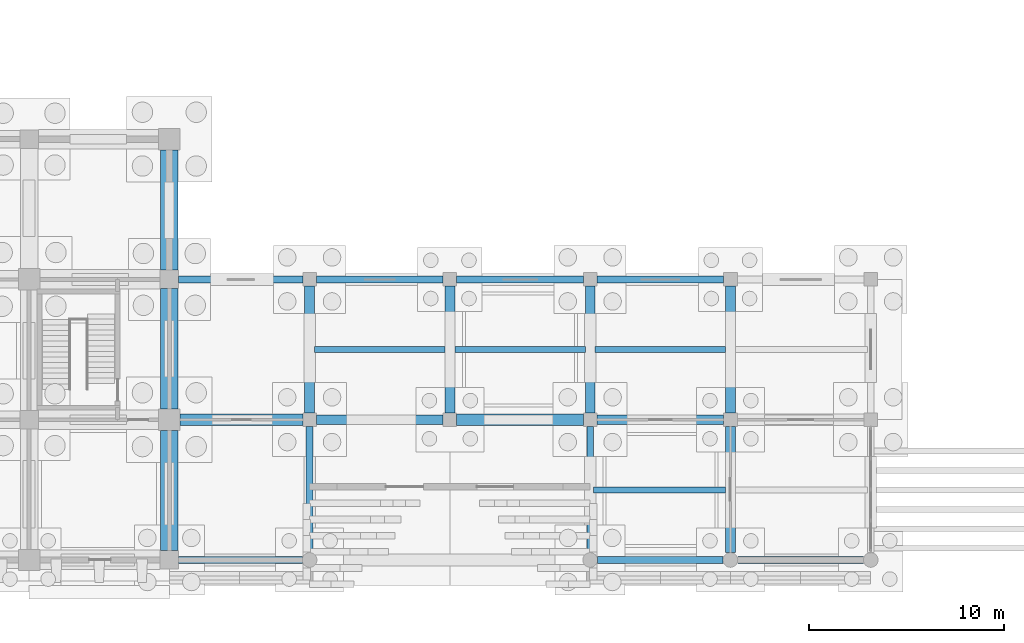
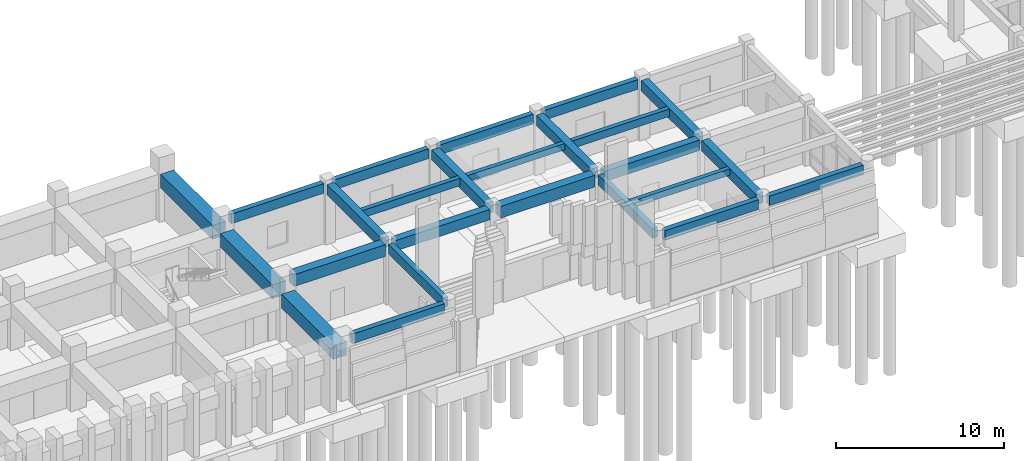
# One storey, part 22 of 79: 25 beams.
"""IFC4 building model written with IfcOpenShell, lengths in metres."""

from ifc_helpers import new_model, si_unit, direction, frame, origin, origin_2d, place, context, subcontext, project, spatial, rectangle, extrude, material, material_profile, profile_set, type_object, element, save


model = new_model("IFC4")

# Units and contexts
model_context = context("Model", 3, precision=1e-05, world=origin(), true_north=direction((0.0, 1.0)))
body_context = subcontext(model_context, "Body", "Model", "MODEL_VIEW")
ifc_project = project(units=[si_unit("LENGTHUNIT", "METRE"), si_unit("AREAUNIT", "SQUARE_METRE"), si_unit("VOLUMEUNIT", "CUBIC_METRE"), si_unit("PLANEANGLEUNIT", "RADIAN"), si_unit("MASSUNIT", "GRAM", prefix="KILO")], contexts=[model_context])

# Site, building, storey
site_placement = place(None, origin())
site = spatial("IfcSite", under=ifc_project, at=site_placement, CompositionType="ELEMENT")
building_placement = place(site_placement, origin())
building = spatial("IfcBuilding", under=site, at=building_placement, Name="Kavelor Marine Aquarium", CompositionType="ELEMENT")
storey_placement = place(building_placement, origin())
storey = spatial("IfcBuildingStorey", under=building, at=storey_placement, Name="L00", CompositionType="ELEMENT", Elevation=0.0)

# Beams
ifc_material_1 = material(Name="Concrete C40/50", Category="concrete")
ifc_material_profile_1 = material_profile(ifc_material_1, rectangle(XDim=0.60009765625, YDim=0.85009765625, at=origin_2d()), Name="RC-BM 600x850")
ifc_profile_set_1 = profile_set([ifc_material_profile_1], Name="Concrete C40/50")
beam_type_1 = type_object("IfcBeamType", Name="BM-B1", PredefinedType="BEAM", material=ifc_profile_set_1)
beam_1_placement = place(storey_placement, frame((68.550048828125, 10.0, 3.955078125), z_axis=(1.0, 0.0, 0.0), x_axis=(0.0, 1.0, 0.0)))
element("IfcBeam", 1, at=beam_1_placement, inside=storey, type_object=beam_type_1, Name="bm:x:L00:L01:09_01", PredefinedType="BEAM", context=body_context, shape_type="SweptSolid", body=[
    extrude(rectangle(XDim=0.60009765625, YDim=0.85009765625, at=origin_2d()), origin(), (0.0, 0.0, 1.0), 6.300048828125),
])
beam_2_placement = place(storey_placement, frame((82.75, 10.0, 3.955078125), z_axis=(1.0, 0.0, 0.0), x_axis=(0.0, 1.0, 0.0)))
element("IfcBeam", 2, at=beam_2_placement, inside=storey, type_object=beam_type_1, Name="bm:x:L00:L01:11_01", PredefinedType="BEAM", context=body_context, shape_type="SweptSolid", body=[
    extrude(rectangle(XDim=0.60009765625, YDim=0.85009765625, at=origin_2d()), origin(), (0.0, 0.0, 1.0), 6.5),
])
ifc_material_2 = material(Name="Concrete C40/50", Category="concrete")
ifc_material_profile_2 = material_profile(ifc_material_2, rectangle(XDim=0.5, YDim=0.75, at=origin_2d()), Name="RC-BM 500x750")
ifc_profile_set_2 = profile_set([ifc_material_profile_2], Name="Concrete C40/50")
beam_type_2 = type_object("IfcBeamType", Name="BM-B2", PredefinedType="BEAM", material=ifc_profile_set_2)
for number, where, z_axis, x_axis, name in (
    (3, (75.550048828125, 10.0, 4.0048828125), (1.0, 0.0, 0.0), (0.0, 1.0, 0.0), "bm:x:L00:L01:10_01"),
    (4, (89.949951171875, 10.0, 4.0048828125), (1.0, 0.0, 0.0), (0.0, 1.0, 0.0), "bm:x:L00:L01:12_01"),
    (5, (75.199951171875, 10.35009765625, 4.0048828125), (0.0, 1.0, 0.0), (-1.0, 0.0, 0.0), "bm:y:L00:L01:10_01"),
    (6, (82.39990234375, 10.35009765625, 4.0048828125), (0.0, 1.0, 0.0), (-1.0, 0.0, 0.0), "bm:y:L00:L01:11_01"),
    (7, (89.60009765625, 10.35009765625, 4.0048828125), (0.0, 1.0, 0.0), (-1.0, 0.0, 0.0), "bm:y:L00:L01:12_01"),
):
    element("IfcBeam", number, at=place(storey_placement, frame(where, z_axis=z_axis, x_axis=x_axis)), inside=storey, type_object=beam_type_2, Name=name, PredefinedType="BEAM", context=body_context, shape_type="SweptSolid", body=[
        extrude(rectangle(XDim=0.5, YDim=0.75, at=origin_2d()), origin(), (0.0, 0.0, 1.0), 6.5),
    ])
beam_3_placement = place(storey_placement, frame((96.800048828125, 3.175048828125, 4.0048828125), z_axis=(0.0, 1.0, 0.0), x_axis=(-1.0, 0.0, 0.0)))
element("IfcBeam", 8, at=beam_3_placement, inside=storey, type_object=beam_type_2, Name="bm:y:L00:L01:13_00", PredefinedType="BEAM", context=body_context, shape_type="SweptSolid", body=[
    extrude(rectangle(XDim=0.5, YDim=0.75, at=origin_2d()), origin(), (0.0, 0.0, 1.0), 6.474853515625),
])
beam_4_placement = place(storey_placement, frame((96.800048828125, 10.35009765625, 4.0048828125), z_axis=(0.0, 1.0, 0.0), x_axis=(-1.0, 0.0, 0.0)))
element("IfcBeam", 9, at=beam_4_placement, inside=storey, type_object=beam_type_2, Name="bm:y:L00:L01:13_01", PredefinedType="BEAM", context=body_context, shape_type="SweptSolid", body=[
    extrude(rectangle(XDim=0.5, YDim=0.75, at=origin_2d()), origin(), (0.0, 0.0, 1.0), 6.5),
])
ifc_material_3 = material(Name="Concrete C40/50", Category="concrete")
ifc_material_profile_3 = material_profile(ifc_material_3, rectangle(XDim=0.300048828125, YDim=0.449951171875, at=origin_2d()), Name="RC-JS 300x450")
ifc_profile_set_3 = profile_set([ifc_material_profile_3], Name="Concrete C40/50")
beam_type_3 = type_object("IfcBeamType", Name="BM-JS1", PredefinedType="JOIST", material=ifc_profile_set_3)
beam_5_placement = place(storey_placement, frame((82.64990234375, 13.60009765625, 4.155029296875), z_axis=(1.0, 0.0, 0.0), x_axis=(0.0, 1.0, 0.0)))
element("IfcBeam", 10, at=beam_5_placement, inside=storey, type_object=beam_type_3, Name="js:L00:L01:11_01", PredefinedType="JOIST", context=body_context, shape_type="SweptSolid", body=[
    extrude(rectangle(XDim=0.300048828125, YDim=0.449951171875, at=origin_2d()), origin(), (0.0, 0.0, 1.0), 6.7001953125),
])
beam_6_placement = place(storey_placement, frame((89.77490234375, 6.39990234375, 4.155029296875), z_axis=(1.0, 0.0, 0.0), x_axis=(0.0, 1.0, 0.0)))
element("IfcBeam", 11, at=beam_6_placement, inside=storey, type_object=beam_type_3, Name="js:L00:L01:12_00", PredefinedType="JOIST", context=body_context, shape_type="SweptSolid", body=[
    extrude(rectangle(XDim=0.300048828125, YDim=0.449951171875, at=origin_2d()), origin(), (0.0, 0.0, 1.0), 6.775146484375),
])
ifc_material_4 = material(Name="Concrete C40/50", Category="concrete")
ifc_material_profile_4 = material_profile(ifc_material_4, rectangle(XDim=0.300048828125, YDim=0.550048828125, at=origin_2d()), Name="RC-JS 300x550")
ifc_profile_set_4 = profile_set([ifc_material_profile_4], Name="Concrete C40/50")
beam_type_4 = type_object("IfcBeamType", Name="BM-JS2", PredefinedType="JOIST", material=ifc_profile_set_4)
for number, where, z_axis, x_axis, name in (
    (12, (75.449951171875, 13.60009765625, 4.10498046875), (1.0, 0.0, 0.0), (0.0, 1.0, 0.0), "js:L00:L01:10_01"),
    (13, (89.85009765625, 13.60009765625, 4.10498046875), (1.0, 0.0, 0.0), (0.0, 1.0, 0.0), "js:L00:L01:12_01"),
):
    element("IfcBeam", number, at=place(storey_placement, frame(where, z_axis=z_axis, x_axis=x_axis)), inside=storey, type_object=beam_type_4, Name=name, PredefinedType="JOIST", context=body_context, shape_type="SweptSolid", body=[
        extrude(rectangle(XDim=0.300048828125, YDim=0.550048828125, at=origin_2d()), origin(), (0.0, 0.0, 1.0), 6.699951171875),
    ])
ifc_material_5 = material(Name="Concrete C40/50", Category="concrete")
ifc_material_profile_5 = material_profile(ifc_material_5, rectangle(XDim=0.35009765625, YDim=0.699951171875, at=origin_2d()), Name="RC-SP 350x700")
ifc_profile_set_5 = profile_set([ifc_material_profile_5], Name="Concrete C40/50")
beam_type_5 = type_object("IfcBeamType", Name="BM-SP1", PredefinedType="SPANDREL", material=ifc_profile_set_5)
beam_7_placement = place(storey_placement, frame((68.47509765625, 2.800048828125, 4.030029296875), z_axis=(1.0, 0.0, 0.0), x_axis=(0.0, 1.0, 0.0)))
element("IfcBeam", 14, at=beam_7_placement, inside=storey, type_object=beam_type_5, Name="bm:x:L00:L01:09_00", PredefinedType="SPANDREL", context=body_context, shape_type="SweptSolid", body=[
    extrude(rectangle(XDim=0.35009765625, YDim=0.699951171875, at=origin_2d()), origin(), (0.0, 0.0, 1.0), 6.349853515625),
])
beam_8_placement = place(storey_placement, frame((68.47509765625, 17.199951171875, 4.030029296875), z_axis=(1.0, 0.0, 0.0), x_axis=(0.0, 1.0, 0.0)))
element("IfcBeam", 15, at=beam_8_placement, inside=storey, type_object=beam_type_5, Name="bm:x:L00:L01:09_02", PredefinedType="SPANDREL", context=body_context, shape_type="SweptSolid", body=[
    extrude(rectangle(XDim=0.35009765625, YDim=0.699951171875, at=origin_2d()), origin(), (0.0, 0.0, 1.0), 6.375),
])
for number, where, z_axis, x_axis, name in (
    (16, (75.550048828125, 17.199951171875, 4.030029296875), (1.0, 0.0, 0.0), (0.0, 1.0, 0.0), "bm:x:L00:L01:10_02"),
    (17, (82.75, 17.199951171875, 4.030029296875), (1.0, 0.0, 0.0), (0.0, 1.0, 0.0), "bm:x:L00:L01:11_02"),
):
    element("IfcBeam", number, at=place(storey_placement, frame(where, z_axis=z_axis, x_axis=x_axis)), inside=storey, type_object=beam_type_5, Name=name, PredefinedType="SPANDREL", context=body_context, shape_type="SweptSolid", body=[
        extrude(rectangle(XDim=0.35009765625, YDim=0.699951171875, at=origin_2d()), origin(), (0.0, 0.0, 1.0), 6.5),
    ])
beam_9_placement = place(storey_placement, frame((89.97509765625, 2.800048828125, 4.030029296875), z_axis=(1.0, 0.0, 0.0), x_axis=(0.0, 1.0, 0.0)))
element("IfcBeam", 18, at=beam_9_placement, inside=storey, type_object=beam_type_5, Name="bm:x:L00:L01:12_00", PredefinedType="SPANDREL", context=body_context, shape_type="SweptSolid", body=[
    extrude(rectangle(XDim=0.35009765625, YDim=0.699951171875, at=origin_2d()), origin(), (0.0, 0.0, 1.0), 6.449951171875),
])
beam_10_placement = place(storey_placement, frame((89.949951171875, 17.199951171875, 4.030029296875), z_axis=(1.0, 0.0, 0.0), x_axis=(0.0, 1.0, 0.0)))
element("IfcBeam", 19, at=beam_10_placement, inside=storey, type_object=beam_type_5, Name="bm:x:L00:L01:12_02", PredefinedType="SPANDREL", context=body_context, shape_type="SweptSolid", body=[
    extrude(rectangle(XDim=0.35009765625, YDim=0.699951171875, at=origin_2d()), origin(), (0.0, 0.0, 1.0), 6.5),
])
beam_11_placement = place(storey_placement, frame((97.175048828125, 2.800048828125, 4.030029296875), z_axis=(1.0, 0.0, 0.0), x_axis=(0.0, 1.0, 0.0)))
element("IfcBeam", 20, at=beam_11_placement, inside=storey, type_object=beam_type_5, Name="bm:x:L00:L01:13_00", PredefinedType="SPANDREL", context=body_context, shape_type="SweptSolid", body=[
    extrude(rectangle(XDim=0.35009765625, YDim=0.699951171875, at=origin_2d()), origin(), (0.0, 0.0, 1.0), 6.449951171875),
])
for number, where, z_axis, x_axis, name in (
    (21, (75.199951171875, 3.175048828125, 4.030029296875), (0.0, 1.0, 0.0), (-1.0, 0.0, 0.0), "bm:y:L00:L01:10_00"),
    (22, (89.60009765625, 3.175048828125, 4.030029296875), (0.0, 1.0, 0.0), (-1.0, 0.0, 0.0), "bm:y:L00:L01:12_00"),
):
    element("IfcBeam", number, at=place(storey_placement, frame(where, z_axis=z_axis, x_axis=x_axis)), inside=storey, type_object=beam_type_5, Name=name, PredefinedType="SPANDREL", context=body_context, shape_type="SweptSolid", body=[
        extrude(rectangle(XDim=0.35009765625, YDim=0.699951171875, at=origin_2d()), origin(), (0.0, 0.0, 1.0), 6.474853515625),
    ])
ifc_material_6 = material(Name="Concrete C45/55", Category="concrete")
ifc_material_profile_6 = material_profile(ifc_material_6, rectangle(XDim=0.89990234375, YDim=1.0, at=origin_2d()), Name="RC-TG 900x1000")
ifc_profile_set_6 = profile_set([ifc_material_profile_6], Name="Concrete C45/55")
beam_type_6 = type_object("IfcBeamType", Name="BM-TG2", PredefinedType="BEAM", material=ifc_profile_set_6)
for number, where, z_axis, x_axis, name in (
    (23, (68.0, 3.27490234375, 2.97998046875), (0.0, 1.0, 0.0), (-1.0, 0.0, 0.0), "bm:y:L00:L01:09_00"),
    (24, (68.0, 10.550048828125, 2.97998046875), (0.0, 1.0, 0.0), (-1.0, 0.0, 0.0), "bm:y:L00:L01:09_01"),
    (25, (68.0, 17.675048828125, 2.97998046875), (0.0, 1.0, 0.0), (-1.0, 0.0, 0.0), "bm:y:L00:L01:09_02"),
):
    element("IfcBeam", number, at=place(storey_placement, frame(where, z_axis=z_axis, x_axis=x_axis)), inside=storey, type_object=beam_type_6, Name=name, PredefinedType="BEAM", context=body_context, shape_type="SweptSolid", body=[
        extrude(rectangle(XDim=0.89990234375, YDim=1.0, at=origin_2d()), origin(), (0.0, 0.0, 1.0), 6.175048828125),
    ])

save(model, "model.ifc")
